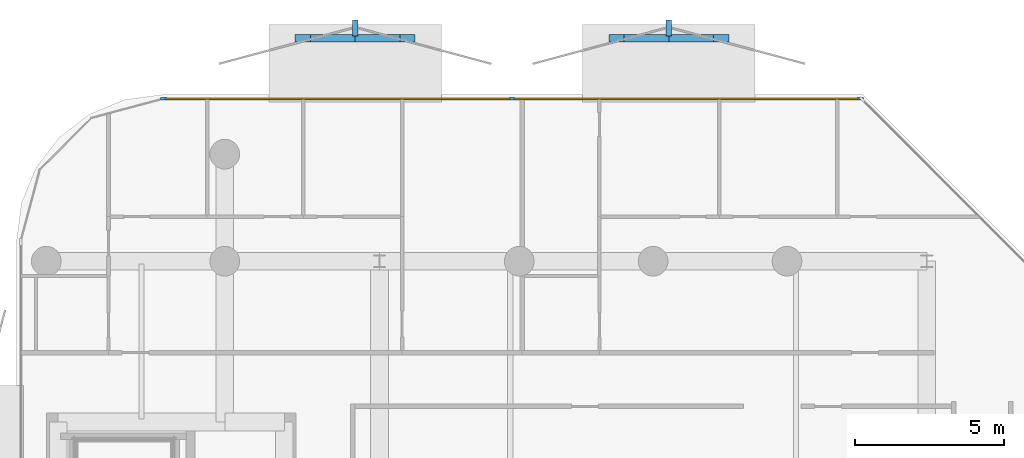
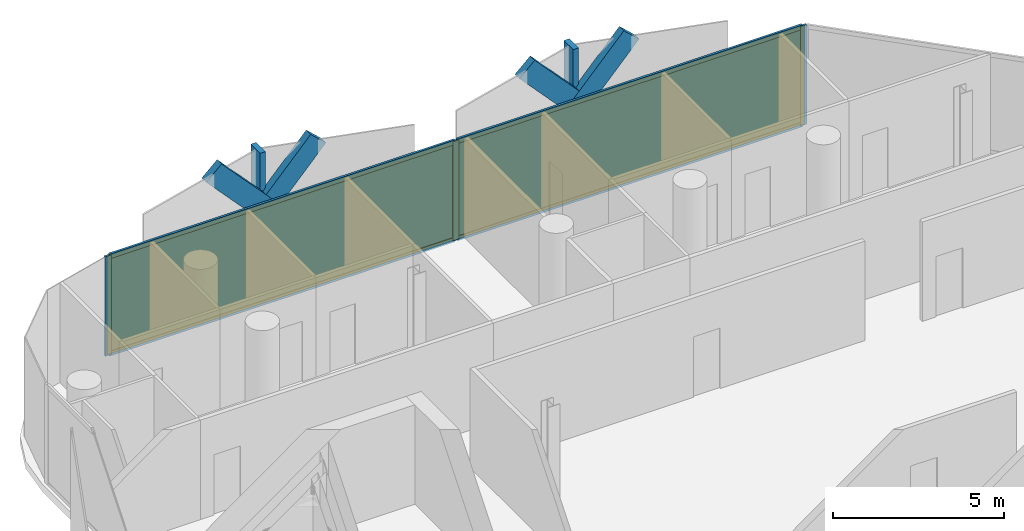
# One storey, part 12 of 17: 13 members, 2 plates, 1 curtain wall.
"""IFC4 building model written with IfcOpenShell, lengths in metres."""

import ifcopenshell
import ifcopenshell.guid

model = None  # the IFC model being written
_history = None  # IfcOwnerHistory: only IFC2X3 demands one
_inside = {}  # id of a spatial element -> (the spatial element, [elements in it])
_under = {}  # id of a project, library or spatial element -> (it, [spatial elements below it])
_declared = {}  # id of a project -> (the project, [libraries it declares])
_typed = {}  # id of a type object -> (the type object, [elements of that type])
_made_of = {}  # id of a material, layer set ... -> (it, [elements and type objects made of it])


def new_model(schema):
    """Start an empty IFC model of exactly this schema.

    Asked for "IFC4X3", IfcOpenShell would pick the latest addendum, in which some entities
    have other attributes; the version numbers below select the first issue.
    IFC2X3 requires an IfcOwnerHistory on every rooted entity: one is made here for all.
    """
    global model, _history
    if schema == "IFC4X3":
        model = ifcopenshell.file(schema_version=(4, 3, 0, 0))
    else:
        model = ifcopenshell.file(schema=schema)
    _inside.clear()
    _under.clear()
    _declared.clear()
    _typed.clear()
    _made_of.clear()
    _history = None
    if model.schema == "IFC2X3":
        org = make("IfcOrganization", Name="unknown")
        user = make(
            "IfcPersonAndOrganization",
            ThePerson=make("IfcPerson", FamilyName="unknown"),
            TheOrganization=org,
        )
        app = make(
            "IfcApplication",
            ApplicationDeveloper=org,
            Version="unknown",
            ApplicationFullName="unknown",
            ApplicationIdentifier="unknown",
        )
        _history = make(
            "IfcOwnerHistory",
            OwningUser=user,
            OwningApplication=app,
            ChangeAction="ADDED",
            CreationDate=0,
        )
    return model


def make(cls, **values):
    """One entity of the class cls with the attributes given. An attribute that is None is left unset."""
    return model.create_entity(
        cls, **{name: value for name, value in values.items() if value is not None}
    )


def rooted(cls, **values):
    """An entity with a GlobalId (a new one), such as an element, a storey or a relation."""
    return make(cls, GlobalId=ifcopenshell.guid.new(), OwnerHistory=_history, **values)


def si_unit(unit_type, name, prefix=None):
    """IfcSIUnit, for example si_unit("LENGTHUNIT", "METRE", prefix="MILLI")."""
    return make("IfcSIUnit", UnitType=unit_type, Prefix=prefix, Name=name)


def assignment(units):
    """IfcUnitAssignment: the units of a project."""
    return None if units is None else make("IfcUnitAssignment", Units=units)


def point(xyz):
    """IfcCartesianPoint."""
    return None if xyz is None else make("IfcCartesianPoint", Coordinates=xyz)


def direction(xyz):
    """IfcDirection."""
    return None if xyz is None else make("IfcDirection", DirectionRatios=xyz)


def frame(location, z_axis=None, x_axis=None):
    """IfcAxis2Placement3D, a coordinate frame: its origin and axes. An axis left out is left unset."""
    return make(
        "IfcAxis2Placement3D",
        Location=point(location),
        Axis=direction(z_axis),
        RefDirection=direction(x_axis),
    )


def frame_2d(location, x_axis=None):
    """IfcAxis2Placement2D, a coordinate frame in the plane: its origin and x axis."""
    return make(
        "IfcAxis2Placement2D", Location=point(location), RefDirection=direction(x_axis)
    )


def origin():
    """The frame at (0, 0, 0) with its axes left unset."""
    return frame((0.0, 0.0, 0.0))


def origin_2d():
    """The frame at (0, 0) in the plane with its x axis left unset."""
    return frame_2d((0.0, 0.0))


def place(relative_to, where):
    """IfcLocalPlacement: puts the frame where relative to a parent placement (None: the world)."""
    return make(
        "IfcLocalPlacement", PlacementRelTo=relative_to, RelativePlacement=where
    )


def context(
    kind, dimensions, precision=None, world=None, true_north=None, identifier=None
):
    """IfcGeometricRepresentationContext, for example the 3D "Model" context."""
    return make(
        "IfcGeometricRepresentationContext",
        ContextIdentifier=identifier,
        ContextType=kind,
        CoordinateSpaceDimension=dimensions,
        Precision=precision,
        WorldCoordinateSystem=world,
        TrueNorth=true_north,
    )


def subcontext(parent, identifier, kind, view, scale=None):
    """IfcGeometricRepresentationSubContext, for example "Body" below "Model"."""
    return make(
        "IfcGeometricRepresentationSubContext",
        ContextIdentifier=identifier,
        ContextType=kind,
        ParentContext=parent,
        TargetScale=scale,
        TargetView=view,
    )


def project(units=None, contexts=None):
    """IfcProject with its units and contexts."""
    return rooted(
        "IfcProject",
        Name="project",
        RepresentationContexts=contexts,
        UnitsInContext=assignment(units),
    )


def spatial(cls, under=None, at=None, **own):
    """A site, building, storey or space (cls), placed at a placement, below another one or the project."""
    s = rooted(cls, ObjectPlacement=at, **own)
    if under is not None:
        _under.setdefault(under.id(), (under, []))[1].append(s)
    return s


def profile(cls, at=None, kind="AREA", **sizes):
    """A parametric profile (cls). Its sizes go by their IFC names, for example OverallWidth=200.0."""
    return make(cls, ProfileType=kind, Position=at, **sizes)


def rectangle(**sizes):
    """IfcRectangleProfileDef."""
    return profile("IfcRectangleProfileDef", **sizes)


def extrude(swept, where, along, depth):
    """IfcExtrudedAreaSolid: the profile swept, set in the frame where, extruded along a direction by depth."""
    return make(
        "IfcExtrudedAreaSolid",
        SweptArea=swept,
        Position=where,
        ExtrudedDirection=direction(along),
        Depth=depth,
    )


def shape(context_of_items, identifier, shape_type, items):
    """IfcShapeRepresentation: the items that make up one representation, for example the "Body"."""
    return make(
        "IfcShapeRepresentation",
        ContextOfItems=context_of_items,
        RepresentationIdentifier=identifier,
        RepresentationType=shape_type,
        Items=items,
    )


def material(Name=None, Category=None):
    """IfcMaterial."""
    return make("IfcMaterial", Name=Name, Category=Category)


def layer(
    of_material, thickness, ventilated=None, Name=None, Category=None, Priority=None
):
    """IfcMaterialLayer: one layer of a wall or slab, of a material (None: an air gap)."""
    return make(
        "IfcMaterialLayer",
        Material=of_material,
        LayerThickness=thickness,
        IsVentilated=ventilated,
        Name=Name,
        Category=Category,
        Priority=Priority,
    )


def layer_set(layers, Name=None):
    """IfcMaterialLayerSet."""
    return make("IfcMaterialLayerSet", MaterialLayers=layers, LayerSetName=Name)


def material_profile(
    of_material, cross_section, Name=None, Category=None, Priority=None
):
    """IfcMaterialProfile: a cross section and its material."""
    return make(
        "IfcMaterialProfile",
        Name=Name,
        Material=of_material,
        Profile=cross_section,
        Priority=Priority,
        Category=Category,
    )


def profile_set(profiles, Name=None, composite=None):
    """IfcMaterialProfileSet."""
    return make(
        "IfcMaterialProfileSet",
        Name=Name,
        MaterialProfiles=profiles,
        CompositeProfile=composite,
    )


def made_of(thing, what):
    """Note that an element or type object is made of a material, layer set ...; save() writes the relation."""
    if what is not None:
        _made_of.setdefault(what.id(), (what, []))[1].append(thing)
    return thing


def type_object(cls, material=None, **own):
    """A type object (cls), such as IfcWallType, which elements share."""
    return made_of(rooted(cls, **own), material)


def element(
    cls,
    number,
    at=None,
    inside=None,
    cuts=None,
    type_object=None,
    material=None,
    context=None,
    identifier="Body",
    shape_type=None,
    held_by="IfcProductDefinitionShape",
    body=None,
    shapes=None,
    **own,
):
    """One element of the class cls, such as IfcWall. Its Tag is "e" and its number.

    at: its placement. inside: the storey or other place that contains it. cuts: it is an
    opening in that element (IfcRelVoidsElement). A single representation is given by context,
    identifier, shape_type and body (its items); several are given by shapes. held_by: the class
    of the entity that holds the representations. save() writes the other relations.
    """
    e = rooted(cls, Tag="e%d" % number, ObjectPlacement=at, **own)
    if body is not None:
        shapes = [shape(context, identifier, shape_type, body)]
    if shapes is not None:
        e.Representation = make(held_by, Representations=shapes)
    if inside is not None:
        _inside.setdefault(inside.id(), (inside, []))[1].append(e)
    if cuts is not None:
        rooted(
            "IfcRelVoidsElement", RelatingBuildingElement=cuts, RelatedOpeningElement=e
        )
    if type_object is not None:
        _typed.setdefault(type_object.id(), (type_object, []))[1].append(e)
    return made_of(e, material)


def aggregate(whole, parts):
    """IfcRelAggregates: a whole, such as a stair, and the parts it consists of."""
    return rooted("IfcRelAggregates", RelatingObject=whole, RelatedObjects=parts)


def save(model, path):
    """Write the relations noted so far, then the file.

    IfcRelAggregates (storeys below a building ...), IfcRelContainedInSpatialStructure (elements
    in a storey), IfcRelDefinesByType, IfcRelAssociatesMaterial and IfcRelDeclares: one each for
    every whole, place, type object, material and project.
    """
    for whole, parts in _under.values():
        aggregate(whole, parts)
    for where, things in _inside.values():
        rooted(
            "IfcRelContainedInSpatialStructure",
            RelatedElements=things,
            RelatingStructure=where,
        )
    for kind, things in _typed.values():
        rooted("IfcRelDefinesByType", RelatedObjects=things, RelatingType=kind)
    for what, things in _made_of.values():
        rooted("IfcRelAssociatesMaterial", RelatedObjects=things, RelatingMaterial=what)
    for by, libraries in _declared.values():
        rooted("IfcRelDeclares", RelatingContext=by, RelatedDefinitions=libraries)
    model.write(path)


model = new_model("IFC4")

# Units and contexts
model_context = context("Model", 3, precision=1e-05, world=origin(), true_north=direction((0.0, 1.0)))
body_context = subcontext(model_context, "Body", "Model", "MODEL_VIEW")
ifc_project = project(units=[si_unit("LENGTHUNIT", "METRE"), si_unit("AREAUNIT", "SQUARE_METRE"), si_unit("VOLUMEUNIT", "CUBIC_METRE"), si_unit("PLANEANGLEUNIT", "RADIAN"), si_unit("MASSUNIT", "GRAM", prefix="KILO")], contexts=[model_context])

# Member
ifc_material_1 = material(Name="Anodised Bronze Aluminium 6063-T6", Category="aluminium")
ifc_material_profile_1 = material_profile(ifc_material_1, rectangle(XDim=0.260009765625, YDim=0.699951171875, at=origin_2d()))
ifc_profile_set_1 = profile_set([ifc_material_profile_1], Name="Anodised Bronze Aluminium 6063-T6")
member_type_1 = type_object("IfcMemberType", Name="Bronze Diamond Solar-Screen Lattice Rib BDL-700", PredefinedType="MULLION", material=ifc_profile_set_1)
site_placement = place(None, origin())
building_placement = place(site_placement, origin())
storey_placement = place(building_placement, frame((0.0, 0.0, 304.199951171875)))
member_1_placement = place(storey_placement, frame((-11.775390625, 26.10009765625, -0.1298828125), z_axis=(0.679076926981, 0.0, 0.734067113582), x_axis=(0.0, 1.0, 0.0)))
member_1 = element("IfcMember", 1, at=member_1_placement, type_object=member_type_1, Name="L73 Bronze Diamond Solar Screen Lattice Rib 514A", PredefinedType="MULLION", context=body_context, shape_type="SweptSolid", body=[
    extrude(rectangle(XDim=0.260009765625, YDim=0.699951171875, at=origin_2d()), origin(), (0.0, 0.0, 1.0), 5.1767578125),
])

member_2_placement = place(storey_placement, frame((-8.260009765625, 26.10009765625, -0.1298828125), z_axis=(-0.679076926981, 0.0, 0.734067113582), x_axis=(0.0, -1.0, 0.0)))
member_2 = element("IfcMember", 2, at=member_2_placement, type_object=member_type_1, Name="L73 Bronze Diamond Solar Screen Lattice Rib 514B", PredefinedType="MULLION", context=body_context, shape_type="SweptSolid", body=[
    extrude(rectangle(XDim=0.260009765625, YDim=0.699951171875, at=origin_2d()), origin(), (0.0, 0.0, 1.0), 5.1767578125),
])

member_3_placement = place(storey_placement, frame((-1.22900390625, 26.10009765625, -0.1298828125), z_axis=(0.679102338892, 0.0, 0.734043604503), x_axis=(0.0, 1.0, 0.0)))
member_3 = element("IfcMember", 3, at=member_3_placement, type_object=member_type_1, Name="L73 Bronze Diamond Solar Screen Lattice Rib 515A", PredefinedType="MULLION", context=body_context, shape_type="SweptSolid", body=[
    extrude(rectangle(XDim=0.260009765625, YDim=0.699951171875, at=origin_2d()), origin(), (0.0, 0.0, 1.0), 5.1767578125),
])

member_4_placement = place(storey_placement, frame((2.28662109375, 26.10009765625, -0.1298828125), z_axis=(-0.679102338892, 0.0, 0.734043604503), x_axis=(0.0, -1.0, 0.0)))
member_4 = element("IfcMember", 4, at=member_4_placement, type_object=member_type_1, Name="L73 Bronze Diamond Solar Screen Lattice Rib 515B", PredefinedType="MULLION", context=body_context, shape_type="SweptSolid", body=[
    extrude(rectangle(XDim=0.260009765625, YDim=0.699951171875, at=origin_2d()), origin(), (0.0, 0.0, 1.0), 5.1767578125),
])

ifc_material_2 = material(Name="Anodised Bronze Aluminium 6063-T6", Category="aluminium")
ifc_material_profile_2 = material_profile(ifc_material_2, rectangle(XDim=0.179931640625, YDim=0.5400390625, at=origin_2d()))
ifc_profile_set_2 = profile_set([ifc_material_profile_2], Name="Anodised Bronze Aluminium 6063-T6")
member_type_2 = type_object("IfcMemberType", Name="Bronze Solar-Screen Vertical Fold Fin BSF-540", PredefinedType="MULLION", material=ifc_profile_set_2)
member_5_placement = place(storey_placement, frame((-10.017578125, 26.43994140625, -0.1298828125), z_axis=(0.0, 0.0, 1.0), x_axis=(1.0, 0.0, 0.0)))
member_5 = element("IfcMember", 5, at=member_5_placement, type_object=member_type_2, Name="L73 Bronze Solar Screen Vertical Fin 514", PredefinedType="MULLION", context=body_context, shape_type="SweptSolid", body=[
    extrude(rectangle(XDim=0.179931640625, YDim=0.5400390625, at=origin_2d()), origin(), (0.0, 0.0, 1.0), 3.800048828125),
])

member_6_placement = place(storey_placement, frame((0.52880859375, 26.43994140625, -0.1298828125), z_axis=(0.0, 0.0, 1.0), x_axis=(1.0, 0.0, 0.0)))
member_6 = element("IfcMember", 6, at=member_6_placement, type_object=member_type_2, Name="L73 Bronze Solar Screen Vertical Fin 515", PredefinedType="MULLION", context=body_context, shape_type="SweptSolid", body=[
    extrude(rectangle(XDim=0.179931640625, YDim=0.5400390625, at=origin_2d()), origin(), (0.0, 0.0, 1.0), 3.800048828125),
])

ifc_material_3 = material(Name="Anodised Bronze Aluminium 6063-T6", Category="aluminium")
ifc_material_profile_3 = material_profile(ifc_material_3, rectangle(XDim=0.074951171875, YDim=0.2099609375, at=origin_2d()))
ifc_profile_set_3 = profile_set([ifc_material_profile_3], Name="Anodised Bronze Aluminium 6063-T6")
member_type_3 = type_object("IfcMemberType", Name="CW-CRN Mullion 75x210", PredefinedType="MULLION", material=ifc_profile_set_3)
member_7_placement = place(storey_placement, frame((-16.453369140625, 24.06005859375, 0.0), z_axis=(0.0, 0.0, 1.0), x_axis=(0.0, 1.0, 0.0)))
member_7 = element("IfcMember", 7, at=member_7_placement, type_object=member_type_3, Name="CW-CRN mullion 1", PredefinedType="MULLION", context=body_context, shape_type="SweptSolid", body=[
    extrude(rectangle(XDim=0.074951171875, YDim=0.2099609375, at=origin_2d()), origin(), (0.0, 0.0, 1.0), 3.5400390625),
])

member_8_placement = place(storey_placement, frame((-4.744384765625, 24.06005859375, 0.0), z_axis=(0.0, 0.0, 1.0), x_axis=(0.0, 1.0, 0.0)))
member_8 = element("IfcMember", 8, at=member_8_placement, type_object=member_type_3, Name="CW-CRN mullion 2", PredefinedType="MULLION", context=body_context, shape_type="SweptSolid", body=[
    extrude(rectangle(XDim=0.074951171875, YDim=0.2099609375, at=origin_2d()), origin(), (0.0, 0.0, 1.0), 3.5400390625),
])

member_9_placement = place(storey_placement, frame((6.964599609375, 24.06005859375, 0.0), z_axis=(0.0, 0.0, 1.0), x_axis=(0.0, 1.0, 0.0)))
member_9 = element("IfcMember", 9, at=member_9_placement, type_object=member_type_3, Name="CW-CRN mullion 3", PredefinedType="MULLION", context=body_context, shape_type="SweptSolid", body=[
    extrude(rectangle(XDim=0.074951171875, YDim=0.2099609375, at=origin_2d()), origin(), (0.0, 0.0, 1.0), 3.5400390625),
])

ifc_material_4 = material(Name="Anodised Bronze Aluminium 6063-T6", Category="aluminium")
ifc_material_profile_4 = material_profile(ifc_material_4, rectangle(XDim=0.074951171875, YDim=0.1650390625, at=origin_2d()))
ifc_profile_set_4 = profile_set([ifc_material_profile_4], Name="Anodised Bronze Aluminium 6063-T6")
member_type_4 = type_object("IfcMemberType", Name="CW-CRN Transom 75x165", PredefinedType="USERDEFINED", material=ifc_profile_set_4)
member_10_placement = place(storey_placement, frame((-16.415771484375, 24.06005859375, 0.03759765625), z_axis=(1.0, 0.0, 0.0), x_axis=(0.0, 1.0, 0.0)))
member_10 = element("IfcMember", 10, at=member_10_placement, type_object=member_type_4, Name="CW-CRN transom 1.1", ObjectType="TRANSOM", PredefinedType="USERDEFINED", context=body_context, shape_type="SweptSolid", body=[
    extrude(rectangle(XDim=0.074951171875, YDim=0.1650390625, at=origin_2d()), origin(), (0.0, 0.0, 1.0), 11.6337890625),
])

member_11_placement = place(storey_placement, frame((-16.415771484375, 24.06005859375, 3.50244140625), z_axis=(1.0, 0.0, 0.0), x_axis=(0.0, 1.0, 0.0)))
member_11 = element("IfcMember", 11, at=member_11_placement, type_object=member_type_4, Name="CW-CRN transom 1.2", ObjectType="TRANSOM", PredefinedType="USERDEFINED", context=body_context, shape_type="SweptSolid", body=[
    extrude(rectangle(XDim=0.074951171875, YDim=0.1650390625, at=origin_2d()), origin(), (0.0, 0.0, 1.0), 11.6337890625),
])

member_12_placement = place(storey_placement, frame((-4.706787109375, 24.06005859375, 0.03759765625), z_axis=(1.0, 0.0, 0.0), x_axis=(0.0, 1.0, 0.0)))
member_12 = element("IfcMember", 12, at=member_12_placement, type_object=member_type_4, Name="CW-CRN transom 2.1", ObjectType="TRANSOM", PredefinedType="USERDEFINED", context=body_context, shape_type="SweptSolid", body=[
    extrude(rectangle(XDim=0.074951171875, YDim=0.1650390625, at=origin_2d()), origin(), (0.0, 0.0, 1.0), 11.6337890625),
])

member_13_placement = place(storey_placement, frame((-4.706787109375, 24.06005859375, 3.50244140625), z_axis=(1.0, 0.0, 0.0), x_axis=(0.0, 1.0, 0.0)))
member_13 = element("IfcMember", 13, at=member_13_placement, type_object=member_type_4, Name="CW-CRN transom 2.2", ObjectType="TRANSOM", PredefinedType="USERDEFINED", context=body_context, shape_type="SweptSolid", body=[
    extrude(rectangle(XDim=0.074951171875, YDim=0.1650390625, at=origin_2d()), origin(), (0.0, 0.0, 1.0), 11.6337890625),
])

# Plate
ifc_material_5 = material(Name="Low-E Solar Control Laminated Glass", Category="glass")
ifc_layer_1 = layer(ifc_material_5, 0.035888671875, Name="Low-E Solar Control Laminated Glass")
ifc_layer_set_1 = layer_set([ifc_layer_1], Name="Low-E Solar Control Laminated Glass")
plate_type = type_object("IfcPlateType", Name="CW-CRN Low-E Double Glazed Panel 36mm", PredefinedType="CURTAIN_PANEL", material=ifc_layer_set_1)
plate_1_placement = place(storey_placement, frame((-10.598876953125, 24.06005859375, 0.0751953125), z_axis=(0.0, 0.0, 1.0), x_axis=(1.0, 0.0, 0.0)))
plate_1 = element("IfcPlate", 14, at=plate_1_placement, type_object=plate_type, Name="CW-CRN panel 1.1", PredefinedType="CURTAIN_PANEL", context=body_context, shape_type="SweptSolid", body=[
    extrude(rectangle(XDim=11.6337890625, YDim=0.035888671875, at=origin_2d()), origin(), (0.0, 0.0, 1.0), 3.389892578125),
])

plate_2_placement = place(storey_placement, frame((1.110107421875, 24.06005859375, 0.0751953125), z_axis=(0.0, 0.0, 1.0), x_axis=(1.0, 0.0, 0.0)))
plate_2 = element("IfcPlate", 15, at=plate_2_placement, type_object=plate_type, Name="CW-CRN panel 2.1", PredefinedType="CURTAIN_PANEL", context=body_context, shape_type="SweptSolid", body=[
    extrude(rectangle(XDim=11.6337890625, YDim=0.035888671875, at=origin_2d()), origin(), (0.0, 0.0, 1.0), 3.389892578125),
])

# Site, building, storey
site = spatial("IfcSite", under=ifc_project, at=site_placement, CompositionType="ELEMENT")
building = spatial("IfcBuilding", under=site, at=building_placement, Name="Khairoan Windgate Tower", CompositionType="ELEMENT")
storey = spatial("IfcBuildingStorey", under=building, at=storey_placement, Name="L73", CompositionType="ELEMENT", Elevation=304.199951171875)

# Curtain wall
ifc_material_6 = material(Name="Anodised Bronze Aluminium 6063-T6", Category="aluminium")
ifc_layer_2 = layer(ifc_material_6, 0.2099609375, Name="Anodised Bronze Aluminium 6063-T6")
ifc_layer_set_2 = layer_set([ifc_layer_2], Name="Anodised Bronze Aluminium 6063-T6")
curtain_wall_type = type_object("IfcCurtainWallType", Name="Crown Observation and Vitrine Curtain Wall CW-CRN", PredefinedType="NOTDEFINED", material=ifc_layer_set_2)
curtain_wall_placement = place(storey_placement, frame((-16.49072265625, 24.06005859375, 0.0), z_axis=(0.0, 0.0, 1.0), x_axis=(1.0, 0.0, 0.0)))
curtain_wall = element("IfcCurtainWall", 16, at=curtain_wall_placement, inside=storey, type_object=curtain_wall_type, Name="L73 Unitised Curtain Wall 7", PredefinedType="NOTDEFINED", context=body_context, shape_type="SweptSolid", body=[
    extrude(rectangle(XDim=23.49267578125, YDim=0.010009765625, at=frame_2d((11.746337890625, 0.0))), origin(), (0.0, 0.0, 1.0), 3.5400390625),
])

aggregate(curtain_wall, [member_7, member_8, member_9, member_10, member_11, plate_1, member_12, member_13, plate_2, member_1, member_2, member_5, member_3, member_4, member_6])

save(model, "model.ifc")
